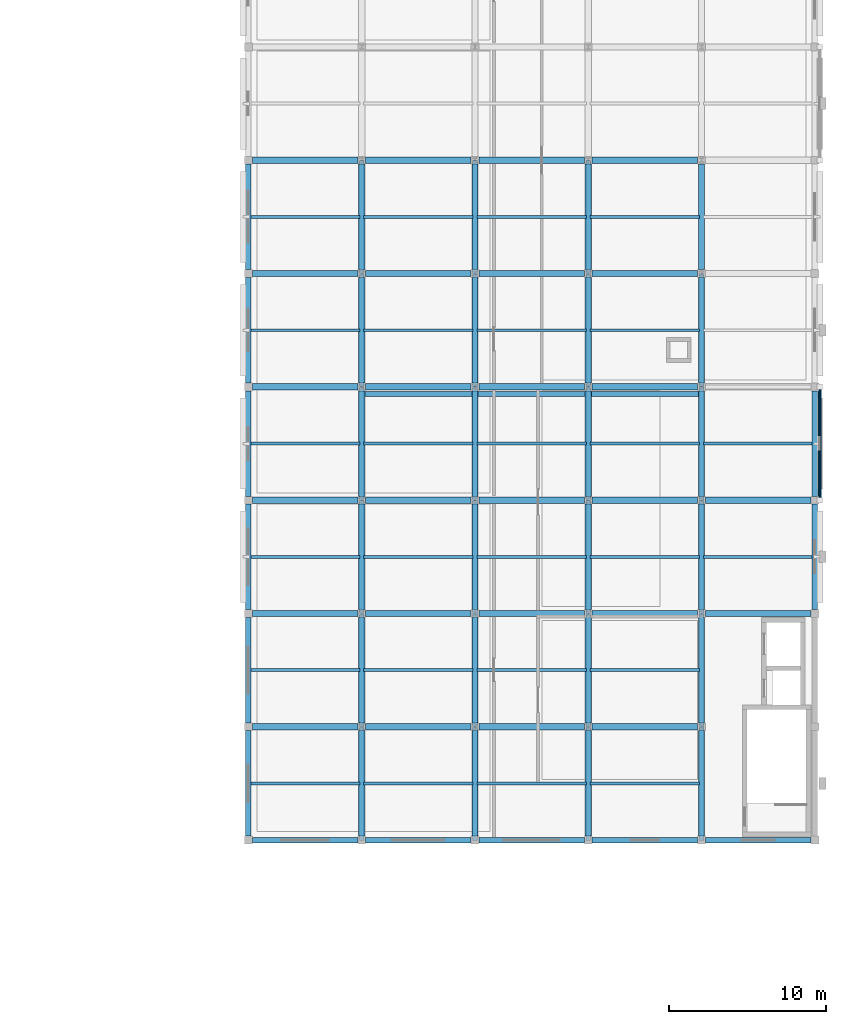
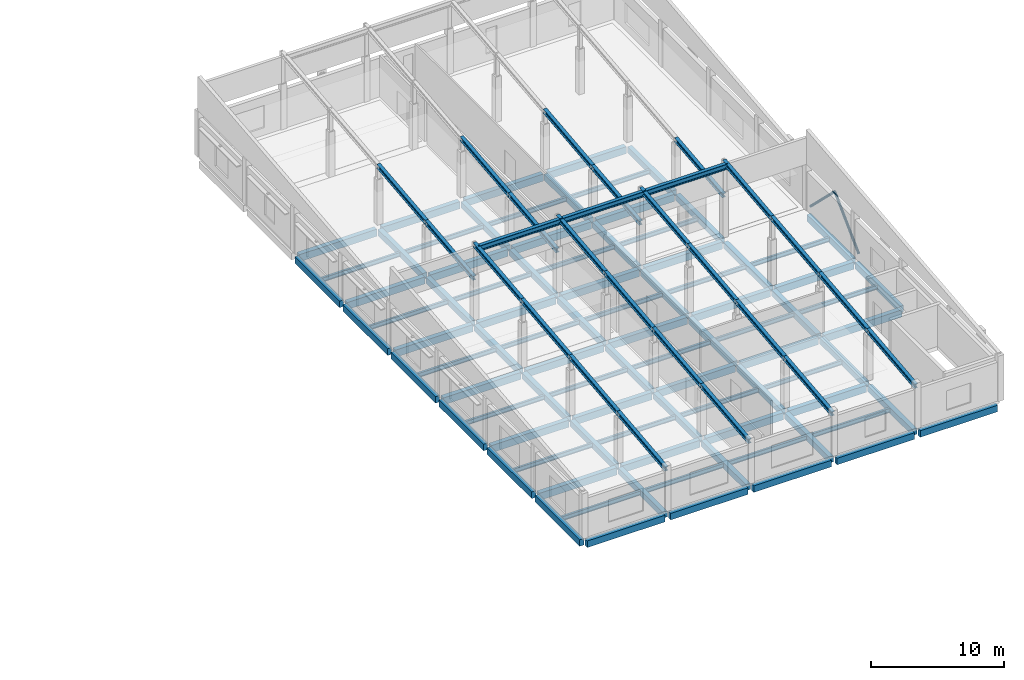
# One storey, part 16 of 33: 113 beams, 2 members.
"""IFC4 building model written with IfcOpenShell, lengths in metres."""

from ifc_helpers import new_model, si_unit, direction, frame, origin, origin_2d, place, context, subcontext, project, spatial, rectangle, hollow_circle, i_section, extrude, material, material_profile, profile_set, type_object, element, save


model = new_model("IFC4")

# Units and contexts
model_context = context("Model", 3, precision=1e-05, world=origin(), true_north=direction((0.0, 1.0)))
body_context = subcontext(model_context, "Body", "Model", "MODEL_VIEW")
ifc_project = project(units=[si_unit("LENGTHUNIT", "METRE"), si_unit("AREAUNIT", "SQUARE_METRE"), si_unit("VOLUMEUNIT", "CUBIC_METRE"), si_unit("PLANEANGLEUNIT", "RADIAN"), si_unit("MASSUNIT", "GRAM", prefix="KILO")], contexts=[model_context])

# Site, building, storey
site_placement = place(None, origin())
site = spatial("IfcSite", under=ifc_project, at=site_placement, CompositionType="ELEMENT")
building_placement = place(site_placement, origin())
building = spatial("IfcBuilding", under=site, at=building_placement, Name="Valkovuoma Quantum and Materials Research Institute", CompositionType="ELEMENT")
storey_placement = place(building_placement, frame((0.0, 0.0, 25.60009765625)))
storey = spatial("IfcBuildingStorey", under=building, at=storey_placement, Name="L06", CompositionType="ELEMENT", Elevation=25.60009765625)

# Beams
ifc_material_1 = material(Name="Steel S355J2", Category="steel")
ifc_material_profile_1 = material_profile(ifc_material_1, i_section(OverallWidth=0.300048828125, OverallDepth=0.389892578125, WebThickness=0.010986328125, FlangeThickness=0.01904296875, FilletRadius=0.027099609375, at=origin_2d()), Name="Steel S355J2")
ifc_profile_set_1 = profile_set([ifc_material_profile_1], Name="Steel S355J2")
beam_type_1 = type_object("IfcBeamType", Name="Beam-B-HEA400", PredefinedType="SPANDREL", material=ifc_profile_set_1)
for number, where, z_axis, x_axis, name in (
    (1, (136.800048828125, 57.60009765625, 3.699951171875), (0.0, 0.994182584153, 0.107707889063), (-1.0, 0.0, 0.0), "L06 wet-lab sloped rafter 1.136.8.1"),
    (2, (136.800048828125, 64.800048828125, 4.47998046875), (0.0, 0.994182584153, 0.107707889063), (-1.0, 0.0, 0.0), "L06 wet-lab sloped rafter 1.136.8.2"),
):
    element("IfcBeam", number, at=place(storey_placement, frame(where, z_axis=z_axis, x_axis=x_axis)), inside=storey, type_object=beam_type_1, Name=name, PredefinedType="SPANDREL", context=body_context, shape_type="SweptSolid", body=[
        extrude(i_section(OverallWidth=0.300048828125, OverallDepth=0.389892578125, WebThickness=0.010986328125, FlangeThickness=0.01904296875, FilletRadius=0.027099609375, at=origin_2d()), origin(), (0.0, 0.0, 1.0), 7.2421875),
    ])
beam_1_placement = place(storey_placement, frame((136.800048828125, 72.0, 5.260009765625), z_axis=(0.0, 0.994186193468, 0.107674568578), x_axis=(-1.0, 0.0, 0.0)))
element("IfcBeam", 3, at=beam_1_placement, inside=storey, type_object=beam_type_1, Name="L06 wet-lab sloped rafter 1.136.8.3", PredefinedType="SPANDREL", context=body_context, shape_type="SweptSolid", body=[
    extrude(i_section(OverallWidth=0.300048828125, OverallDepth=0.389892578125, WebThickness=0.010986328125, FlangeThickness=0.01904296875, FilletRadius=0.027099609375, at=origin_2d()), origin(), (0.0, 0.0, 1.0), 7.241943359375),
])
for number, where, z_axis, x_axis, name in (
    (4, (136.800048828125, 79.199951171875, 6.039794921875), (0.0, 0.994182584153, 0.107707889063), (-1.0, 0.0, 0.0), "L06 wet-lab sloped rafter 1.136.8.4"),
    (5, (144.0, 57.60009765625, 3.699951171875), (0.0, 0.994182584153, 0.107707889063), (-1.0, 0.0, 0.0), "L06 wet-lab sloped rafter 1.144.0.1"),
    (6, (144.0, 64.800048828125, 4.47998046875), (0.0, 0.994182584153, 0.107707889063), (-1.0, 0.0, 0.0), "L06 wet-lab sloped rafter 1.144.0.2"),
):
    element("IfcBeam", number, at=place(storey_placement, frame(where, z_axis=z_axis, x_axis=x_axis)), inside=storey, type_object=beam_type_1, Name=name, PredefinedType="SPANDREL", context=body_context, shape_type="SweptSolid", body=[
        extrude(i_section(OverallWidth=0.300048828125, OverallDepth=0.389892578125, WebThickness=0.010986328125, FlangeThickness=0.01904296875, FilletRadius=0.027099609375, at=origin_2d()), origin(), (0.0, 0.0, 1.0), 7.2421875),
    ])
beam_2_placement = place(storey_placement, frame((144.0, 72.0, 5.260009765625), z_axis=(0.0, 0.994186193468, 0.107674568578), x_axis=(-1.0, 0.0, 0.0)))
element("IfcBeam", 7, at=beam_2_placement, inside=storey, type_object=beam_type_1, Name="L06 wet-lab sloped rafter 1.144.0.3", PredefinedType="SPANDREL", context=body_context, shape_type="SweptSolid", body=[
    extrude(i_section(OverallWidth=0.300048828125, OverallDepth=0.389892578125, WebThickness=0.010986328125, FlangeThickness=0.01904296875, FilletRadius=0.027099609375, at=origin_2d()), origin(), (0.0, 0.0, 1.0), 7.241943359375),
])
for number, where, z_axis, x_axis, name in (
    (8, (144.0, 79.199951171875, 6.039794921875), (0.0, 0.994182584153, 0.107707889063), (-1.0, 0.0, 0.0), "L06 wet-lab sloped rafter 1.144.0.4"),
    (9, (151.199951171875, 57.60009765625, 3.699951171875), (0.0, 0.994182584153, 0.107707889063), (-1.0, 0.0, 0.0), "L06 wet-lab sloped rafter 1.151.2.1"),
    (10, (151.199951171875, 64.800048828125, 4.47998046875), (0.0, 0.994182584153, 0.107707889063), (-1.0, 0.0, 0.0), "L06 wet-lab sloped rafter 1.151.2.2"),
):
    element("IfcBeam", number, at=place(storey_placement, frame(where, z_axis=z_axis, x_axis=x_axis)), inside=storey, type_object=beam_type_1, Name=name, PredefinedType="SPANDREL", context=body_context, shape_type="SweptSolid", body=[
        extrude(i_section(OverallWidth=0.300048828125, OverallDepth=0.389892578125, WebThickness=0.010986328125, FlangeThickness=0.01904296875, FilletRadius=0.027099609375, at=origin_2d()), origin(), (0.0, 0.0, 1.0), 7.2421875),
    ])
beam_3_placement = place(storey_placement, frame((151.199951171875, 72.0, 5.260009765625), z_axis=(0.0, 0.994186193468, 0.107674568578), x_axis=(-1.0, 0.0, 0.0)))
element("IfcBeam", 11, at=beam_3_placement, inside=storey, type_object=beam_type_1, Name="L06 wet-lab sloped rafter 1.151.2.3", PredefinedType="SPANDREL", context=body_context, shape_type="SweptSolid", body=[
    extrude(i_section(OverallWidth=0.300048828125, OverallDepth=0.389892578125, WebThickness=0.010986328125, FlangeThickness=0.01904296875, FilletRadius=0.027099609375, at=origin_2d()), origin(), (0.0, 0.0, 1.0), 7.241943359375),
])
for number, where, z_axis, x_axis, name in (
    (12, (151.199951171875, 79.199951171875, 6.039794921875), (0.0, 0.994182584153, 0.107707889063), (-1.0, 0.0, 0.0), "L06 wet-lab sloped rafter 1.151.2.4"),
    (13, (158.39990234375, 57.60009765625, 3.699951171875), (0.0, 0.994182584153, 0.107707889063), (-1.0, 0.0, 0.0), "L06 wet-lab sloped rafter 1.158.4.1"),
    (14, (158.39990234375, 64.800048828125, 4.47998046875), (0.0, 0.994182584153, 0.107707889063), (-1.0, 0.0, 0.0), "L06 wet-lab sloped rafter 1.158.4.2"),
):
    element("IfcBeam", number, at=place(storey_placement, frame(where, z_axis=z_axis, x_axis=x_axis)), inside=storey, type_object=beam_type_1, Name=name, PredefinedType="SPANDREL", context=body_context, shape_type="SweptSolid", body=[
        extrude(i_section(OverallWidth=0.300048828125, OverallDepth=0.389892578125, WebThickness=0.010986328125, FlangeThickness=0.01904296875, FilletRadius=0.027099609375, at=origin_2d()), origin(), (0.0, 0.0, 1.0), 7.2421875),
    ])
beam_4_placement = place(storey_placement, frame((158.39990234375, 72.0, 5.260009765625), z_axis=(0.0, 0.994186193468, 0.107674568578), x_axis=(-1.0, 0.0, 0.0)))
element("IfcBeam", 15, at=beam_4_placement, inside=storey, type_object=beam_type_1, Name="L06 wet-lab sloped rafter 1.158.4.3", PredefinedType="SPANDREL", context=body_context, shape_type="SweptSolid", body=[
    extrude(i_section(OverallWidth=0.300048828125, OverallDepth=0.389892578125, WebThickness=0.010986328125, FlangeThickness=0.01904296875, FilletRadius=0.027099609375, at=origin_2d()), origin(), (0.0, 0.0, 1.0), 7.241943359375),
])
beam_5_placement = place(storey_placement, frame((158.39990234375, 79.199951171875, 6.039794921875), z_axis=(0.0, 0.994182584153, 0.107707889063), x_axis=(-1.0, 0.0, 0.0)))
element("IfcBeam", 16, at=beam_5_placement, inside=storey, type_object=beam_type_1, Name="L06 wet-lab sloped rafter 1.158.4.4", PredefinedType="SPANDREL", context=body_context, shape_type="SweptSolid", body=[
    extrude(i_section(OverallWidth=0.300048828125, OverallDepth=0.389892578125, WebThickness=0.010986328125, FlangeThickness=0.01904296875, FilletRadius=0.027099609375, at=origin_2d()), origin(), (0.0, 0.0, 1.0), 7.2421875),
])
beam_6_placement = place(storey_placement, frame((136.800048828125, 86.39990234375, 3.699951171875), z_axis=(0.0, 0.994182975219, 0.107704279324), x_axis=(-1.0, 0.0, 0.0)))
element("IfcBeam", 17, at=beam_6_placement, inside=storey, type_object=beam_type_1, Name="L06 wet-lab sloped rafter 2.136.8.1", PredefinedType="SPANDREL", context=body_context, shape_type="SweptSolid", body=[
    extrude(i_section(OverallWidth=0.300048828125, OverallDepth=0.389892578125, WebThickness=0.010986328125, FlangeThickness=0.01904296875, FilletRadius=0.027099609375, at=origin_2d()), origin(), (0.0, 0.0, 1.0), 7.242431640625),
])
beam_7_placement = place(storey_placement, frame((136.800048828125, 93.60009765625, 4.47998046875), z_axis=(0.0, 0.994182584153, 0.107707889063), x_axis=(-1.0, 0.0, 0.0)))
element("IfcBeam", 18, at=beam_7_placement, inside=storey, type_object=beam_type_1, Name="L06 wet-lab sloped rafter 2.136.8.2", PredefinedType="SPANDREL", context=body_context, shape_type="SweptSolid", body=[
    extrude(i_section(OverallWidth=0.300048828125, OverallDepth=0.389892578125, WebThickness=0.010986328125, FlangeThickness=0.01904296875, FilletRadius=0.027099609375, at=origin_2d()), origin(), (0.0, 0.0, 1.0), 7.2421875),
])
beam_8_placement = place(storey_placement, frame((144.0, 86.39990234375, 3.699951171875), z_axis=(0.0, 0.994182975219, 0.107704279324), x_axis=(-1.0, 0.0, 0.0)))
element("IfcBeam", 19, at=beam_8_placement, inside=storey, type_object=beam_type_1, Name="L06 wet-lab sloped rafter 2.144.0.1", PredefinedType="SPANDREL", context=body_context, shape_type="SweptSolid", body=[
    extrude(i_section(OverallWidth=0.300048828125, OverallDepth=0.389892578125, WebThickness=0.010986328125, FlangeThickness=0.01904296875, FilletRadius=0.027099609375, at=origin_2d()), origin(), (0.0, 0.0, 1.0), 7.242431640625),
])
beam_9_placement = place(storey_placement, frame((144.0, 93.60009765625, 4.47998046875), z_axis=(0.0, 0.994182584153, 0.107707889063), x_axis=(-1.0, 0.0, 0.0)))
element("IfcBeam", 20, at=beam_9_placement, inside=storey, type_object=beam_type_1, Name="L06 wet-lab sloped rafter 2.144.0.2", PredefinedType="SPANDREL", context=body_context, shape_type="SweptSolid", body=[
    extrude(i_section(OverallWidth=0.300048828125, OverallDepth=0.389892578125, WebThickness=0.010986328125, FlangeThickness=0.01904296875, FilletRadius=0.027099609375, at=origin_2d()), origin(), (0.0, 0.0, 1.0), 7.2421875),
])
beam_10_placement = place(storey_placement, frame((151.199951171875, 86.39990234375, 3.699951171875), z_axis=(0.0, 0.994182975219, 0.107704279324), x_axis=(-1.0, 0.0, 0.0)))
element("IfcBeam", 21, at=beam_10_placement, inside=storey, type_object=beam_type_1, Name="L06 wet-lab sloped rafter 2.151.2.1", PredefinedType="SPANDREL", context=body_context, shape_type="SweptSolid", body=[
    extrude(i_section(OverallWidth=0.300048828125, OverallDepth=0.389892578125, WebThickness=0.010986328125, FlangeThickness=0.01904296875, FilletRadius=0.027099609375, at=origin_2d()), origin(), (0.0, 0.0, 1.0), 7.242431640625),
])
beam_11_placement = place(storey_placement, frame((151.199951171875, 93.60009765625, 4.47998046875), z_axis=(0.0, 0.994182584153, 0.107707889063), x_axis=(-1.0, 0.0, 0.0)))
element("IfcBeam", 22, at=beam_11_placement, inside=storey, type_object=beam_type_1, Name="L06 wet-lab sloped rafter 2.151.2.2", PredefinedType="SPANDREL", context=body_context, shape_type="SweptSolid", body=[
    extrude(i_section(OverallWidth=0.300048828125, OverallDepth=0.389892578125, WebThickness=0.010986328125, FlangeThickness=0.01904296875, FilletRadius=0.027099609375, at=origin_2d()), origin(), (0.0, 0.0, 1.0), 7.2421875),
])
beam_12_placement = place(storey_placement, frame((158.39990234375, 86.39990234375, 3.699951171875), z_axis=(0.0, 0.994182975219, 0.107704279324), x_axis=(-1.0, 0.0, 0.0)))
element("IfcBeam", 23, at=beam_12_placement, inside=storey, type_object=beam_type_1, Name="L06 wet-lab sloped rafter 2.158.4.1", PredefinedType="SPANDREL", context=body_context, shape_type="SweptSolid", body=[
    extrude(i_section(OverallWidth=0.300048828125, OverallDepth=0.389892578125, WebThickness=0.010986328125, FlangeThickness=0.01904296875, FilletRadius=0.027099609375, at=origin_2d()), origin(), (0.0, 0.0, 1.0), 7.242431640625),
])
ifc_material_2 = material(Name="Steel S355J2", Category="steel")
ifc_material_profile_2 = material_profile(ifc_material_2, i_section(OverallWidth=0.300048828125, OverallDepth=0.5, WebThickness=0.014404296875, FlangeThickness=0.028076171875, FilletRadius=0.027099609375, at=origin_2d()), Name="Steel S355J2")
ifc_profile_set_2 = profile_set([ifc_material_profile_2], Name="Steel S355J2")
beam_type_2 = type_object("IfcBeamType", Name="Beam-B-HEB500", PredefinedType="BEAM", material=ifc_profile_set_2)
beam_13_placement = place(storey_placement, frame((136.800048828125, 85.949951171875, 6.711181640625), z_axis=(1.0, 0.0, 0.0), x_axis=(0.0, 1.0, 0.0)))
element("IfcBeam", 24, at=beam_13_placement, inside=storey, type_object=beam_type_2, Name="L06 wet-lab north-light continuous ridge girder 1", PredefinedType="BEAM", context=body_context, shape_type="SweptSolid", body=[
    extrude(i_section(OverallWidth=0.300048828125, OverallDepth=0.5, WebThickness=0.014404296875, FlangeThickness=0.028076171875, FilletRadius=0.027099609375, at=origin_2d()), origin(), (0.0, 0.0, 1.0), 21.599853515625),
])
ifc_material_3 = material(Name="Steel S355J2", Category="steel")
ifc_material_profile_3 = material_profile(ifc_material_3, i_section(OverallWidth=0.179931640625, OverallDepth=0.39990234375, WebThickness=0.008544921875, FlangeThickness=0.013427734375, FilletRadius=0.02099609375, at=origin_2d()), Name="Steel S355J2")
ifc_profile_set_3 = profile_set([ifc_material_profile_3], Name="Steel S355J2")
beam_type_3 = type_object("IfcBeamType", Name="Beam-B-JST400", PredefinedType="JOIST", material=ifc_profile_set_3)
for number, where, z_axis, x_axis, name in (
    (25, (129.719970703125, 61.199951171875, -0.550048828125), (1.0, 0.0, 0.0), (0.0, 1.0, 0.0), "L06 floor joist 2450"),
    (26, (136.919921875, 61.199951171875, -0.550048828125), (1.0, 0.0, 0.0), (0.0, 1.0, 0.0), "L06 floor joist 2451"),
    (27, (144.1201171875, 61.199951171875, -0.550048828125), (1.0, 0.0, 0.0), (0.0, 1.0, 0.0), "L06 floor joist 2452"),
    (28, (151.320068359375, 61.199951171875, -0.550048828125), (1.0, 0.0, 0.0), (0.0, 1.0, 0.0), "L06 floor joist 2453"),
    (29, (129.719970703125, 68.39990234375, -0.550048828125), (1.0, 0.0, 0.0), (0.0, 1.0, 0.0), "L06 floor joist 2456"),
    (30, (136.919921875, 68.39990234375, -0.550048828125), (1.0, 0.0, 0.0), (0.0, 1.0, 0.0), "L06 floor joist 2457"),
    (31, (144.1201171875, 68.39990234375, -0.550048828125), (1.0, 0.0, 0.0), (0.0, 1.0, 0.0), "L06 floor joist 2458"),
    (32, (151.320068359375, 68.39990234375, -0.550048828125), (1.0, 0.0, 0.0), (0.0, 1.0, 0.0), "L06 floor joist 2459"),
    (33, (129.719970703125, 75.60009765625, -0.550048828125), (1.0, 0.0, 0.0), (0.0, 1.0, 0.0), "L06 floor joist 2460"),
    (34, (136.919921875, 75.60009765625, -0.550048828125), (1.0, 0.0, 0.0), (0.0, 1.0, 0.0), "L06 floor joist 2461"),
    (35, (144.1201171875, 75.60009765625, -0.550048828125), (1.0, 0.0, 0.0), (0.0, 1.0, 0.0), "L06 floor joist 2462"),
    (36, (151.320068359375, 75.60009765625, -0.550048828125), (1.0, 0.0, 0.0), (0.0, 1.0, 0.0), "L06 floor joist 2463"),
    (37, (158.52001953125, 75.60009765625, -0.550048828125), (1.0, 0.0, 0.0), (0.0, 1.0, 0.0), "L06 floor joist 2464"),
    (38, (129.719970703125, 82.800048828125, -0.550048828125), (1.0, 0.0, 0.0), (0.0, 1.0, 0.0), "L06 floor joist 2465"),
    (39, (136.919921875, 82.800048828125, -0.550048828125), (1.0, 0.0, 0.0), (0.0, 1.0, 0.0), "L06 floor joist 2466"),
    (40, (144.1201171875, 82.800048828125, -0.550048828125), (1.0, 0.0, 0.0), (0.0, 1.0, 0.0), "L06 floor joist 2467"),
    (41, (151.320068359375, 82.800048828125, -0.550048828125), (1.0, 0.0, 0.0), (0.0, 1.0, 0.0), "L06 floor joist 2468"),
    (42, (158.52001953125, 82.800048828125, -0.550048828125), (1.0, 0.0, 0.0), (0.0, 1.0, 0.0), "L06 floor joist 2469"),
    (43, (129.719970703125, 90.0, -0.550048828125), (1.0, 0.0, 0.0), (0.0, 1.0, 0.0), "L06 floor joist 2472"),
    (44, (136.919921875, 90.0, -0.550048828125), (1.0, 0.0, 0.0), (0.0, 1.0, 0.0), "L06 floor joist 2473"),
    (45, (144.1201171875, 90.0, -0.550048828125), (1.0, 0.0, 0.0), (0.0, 1.0, 0.0), "L06 floor joist 2474"),
    (46, (151.320068359375, 90.0, -0.550048828125), (1.0, 0.0, 0.0), (0.0, 1.0, 0.0), "L06 floor joist 2475"),
    (47, (129.719970703125, 97.199951171875, -0.550048828125), (1.0, 0.0, 0.0), (0.0, 1.0, 0.0), "L06 floor joist 2477"),
    (48, (136.919921875, 97.199951171875, -0.550048828125), (1.0, 0.0, 0.0), (0.0, 1.0, 0.0), "L06 floor joist 2478"),
    (49, (144.1201171875, 97.199951171875, -0.550048828125), (1.0, 0.0, 0.0), (0.0, 1.0, 0.0), "L06 floor joist 2479"),
    (50, (151.320068359375, 97.199951171875, -0.550048828125), (1.0, 0.0, 0.0), (0.0, 1.0, 0.0), "L06 floor joist 2480"),
):
    element("IfcBeam", number, at=place(storey_placement, frame(where, z_axis=z_axis, x_axis=x_axis)), inside=storey, type_object=beam_type_3, Name=name, PredefinedType="JOIST", context=body_context, shape_type="SweptSolid", body=[
        extrude(i_section(OverallWidth=0.179931640625, OverallDepth=0.39990234375, WebThickness=0.008544921875, FlangeThickness=0.013427734375, FilletRadius=0.02099609375, at=origin_2d()), origin(), (0.0, 0.0, 1.0), 6.9599609375),
    ])
ifc_material_4 = material(Name="Concrete C40/50", Category="concrete")
ifc_material_profile_4 = material_profile(ifc_material_4, rectangle(XDim=0.39990234375, YDim=0.550048828125, at=origin_2d()), Name="Concrete C40/50")
ifc_profile_set_4 = profile_set([ifc_material_profile_4], Name="Concrete C40/50")
beam_type_4 = type_object("IfcBeamType", Name="Beam-B-RC550", PredefinedType="BEAM", material=ifc_profile_set_4)
for number, where, z_axis, x_axis, name in (
    (51, (136.800048828125, 57.85009765625, -0.625), (0.0, 1.0, 0.0), (-1.0, 0.0, 0.0), "L06 beam Y-2405"),
    (52, (136.800048828125, 65.050048828125, -0.625), (0.0, 1.0, 0.0), (-1.0, 0.0, 0.0), "L06 beam Y-2406"),
    (53, (136.800048828125, 72.25, -0.625), (0.0, 1.0, 0.0), (-1.0, 0.0, 0.0), "L06 beam Y-2407"),
    (54, (136.800048828125, 79.449951171875, -0.625), (0.0, 1.0, 0.0), (-1.0, 0.0, 0.0), "L06 beam Y-2408"),
):
    element("IfcBeam", number, at=place(storey_placement, frame(where, z_axis=z_axis, x_axis=x_axis)), inside=storey, type_object=beam_type_4, Name=name, PredefinedType="BEAM", context=body_context, shape_type="SweptSolid", body=[
        extrude(rectangle(XDim=0.39990234375, YDim=0.550048828125, at=origin_2d()), origin(), (0.0, 0.0, 1.0), 6.699951171875),
    ])
beam_14_placement = place(storey_placement, frame((136.800048828125, 86.64990234375, -0.625), z_axis=(0.0, 1.0, 0.0), x_axis=(-1.0, 0.0, 0.0)))
element("IfcBeam", 55, at=beam_14_placement, inside=storey, type_object=beam_type_4, Name="L06 beam Y-2409", PredefinedType="BEAM", context=body_context, shape_type="SweptSolid", body=[
    extrude(rectangle(XDim=0.39990234375, YDim=0.550048828125, at=origin_2d()), origin(), (0.0, 0.0, 1.0), 6.7001953125),
])
for number, where, z_axis, x_axis, name in (
    (56, (136.800048828125, 93.85009765625, -0.625), (0.0, 1.0, 0.0), (-1.0, 0.0, 0.0), "L06 beam Y-2410"),
    (57, (144.0, 57.85009765625, -0.625), (0.0, 1.0, 0.0), (-1.0, 0.0, 0.0), "L06 beam Y-2413"),
    (58, (144.0, 65.050048828125, -0.625), (0.0, 1.0, 0.0), (-1.0, 0.0, 0.0), "L06 beam Y-2414"),
    (59, (144.0, 72.25, -0.625), (0.0, 1.0, 0.0), (-1.0, 0.0, 0.0), "L06 beam Y-2415"),
    (60, (144.0, 79.449951171875, -0.625), (0.0, 1.0, 0.0), (-1.0, 0.0, 0.0), "L06 beam Y-2416"),
):
    element("IfcBeam", number, at=place(storey_placement, frame(where, z_axis=z_axis, x_axis=x_axis)), inside=storey, type_object=beam_type_4, Name=name, PredefinedType="BEAM", context=body_context, shape_type="SweptSolid", body=[
        extrude(rectangle(XDim=0.39990234375, YDim=0.550048828125, at=origin_2d()), origin(), (0.0, 0.0, 1.0), 6.699951171875),
    ])
beam_15_placement = place(storey_placement, frame((144.0, 86.64990234375, -0.625), z_axis=(0.0, 1.0, 0.0), x_axis=(-1.0, 0.0, 0.0)))
element("IfcBeam", 61, at=beam_15_placement, inside=storey, type_object=beam_type_4, Name="L06 beam Y-2417", PredefinedType="BEAM", context=body_context, shape_type="SweptSolid", body=[
    extrude(rectangle(XDim=0.39990234375, YDim=0.550048828125, at=origin_2d()), origin(), (0.0, 0.0, 1.0), 6.7001953125),
])
for number, where, z_axis, x_axis, name in (
    (62, (144.0, 93.85009765625, -0.625), (0.0, 1.0, 0.0), (-1.0, 0.0, 0.0), "L06 beam Y-2418"),
    (63, (151.199951171875, 57.85009765625, -0.625), (0.0, 1.0, 0.0), (-1.0, 0.0, 0.0), "L06 beam Y-2421"),
    (64, (151.199951171875, 65.050048828125, -0.625), (0.0, 1.0, 0.0), (-1.0, 0.0, 0.0), "L06 beam Y-2422"),
    (65, (151.199951171875, 72.25, -0.625), (0.0, 1.0, 0.0), (-1.0, 0.0, 0.0), "L06 beam Y-2423"),
    (66, (151.199951171875, 79.449951171875, -0.625), (0.0, 1.0, 0.0), (-1.0, 0.0, 0.0), "L06 beam Y-2424"),
):
    element("IfcBeam", number, at=place(storey_placement, frame(where, z_axis=z_axis, x_axis=x_axis)), inside=storey, type_object=beam_type_4, Name=name, PredefinedType="BEAM", context=body_context, shape_type="SweptSolid", body=[
        extrude(rectangle(XDim=0.39990234375, YDim=0.550048828125, at=origin_2d()), origin(), (0.0, 0.0, 1.0), 6.699951171875),
    ])
beam_16_placement = place(storey_placement, frame((151.199951171875, 86.64990234375, -0.625), z_axis=(0.0, 1.0, 0.0), x_axis=(-1.0, 0.0, 0.0)))
element("IfcBeam", 67, at=beam_16_placement, inside=storey, type_object=beam_type_4, Name="L06 beam Y-2425", PredefinedType="BEAM", context=body_context, shape_type="SweptSolid", body=[
    extrude(rectangle(XDim=0.39990234375, YDim=0.550048828125, at=origin_2d()), origin(), (0.0, 0.0, 1.0), 6.7001953125),
])
for number, where, z_axis, x_axis, name in (
    (68, (151.199951171875, 93.85009765625, -0.625), (0.0, 1.0, 0.0), (-1.0, 0.0, 0.0), "L06 beam Y-2426"),
    (69, (158.39990234375, 57.85009765625, -0.625), (0.0, 1.0, 0.0), (-1.0, 0.0, 0.0), "L06 beam Y-2429"),
    (70, (158.39990234375, 65.050048828125, -0.625), (0.0, 1.0, 0.0), (-1.0, 0.0, 0.0), "L06 beam Y-2430"),
    (71, (158.39990234375, 72.25, -0.625), (0.0, 1.0, 0.0), (-1.0, 0.0, 0.0), "L06 beam Y-2431"),
    (72, (158.39990234375, 79.449951171875, -0.625), (0.0, 1.0, 0.0), (-1.0, 0.0, 0.0), "L06 beam Y-2432"),
):
    element("IfcBeam", number, at=place(storey_placement, frame(where, z_axis=z_axis, x_axis=x_axis)), inside=storey, type_object=beam_type_4, Name=name, PredefinedType="BEAM", context=body_context, shape_type="SweptSolid", body=[
        extrude(rectangle(XDim=0.39990234375, YDim=0.550048828125, at=origin_2d()), origin(), (0.0, 0.0, 1.0), 6.699951171875),
    ])
beam_17_placement = place(storey_placement, frame((158.39990234375, 86.64990234375, -0.625), z_axis=(0.0, 1.0, 0.0), x_axis=(-1.0, 0.0, 0.0)))
element("IfcBeam", 73, at=beam_17_placement, inside=storey, type_object=beam_type_4, Name="L06 beam Y-2433", PredefinedType="BEAM", context=body_context, shape_type="SweptSolid", body=[
    extrude(rectangle(XDim=0.39990234375, YDim=0.550048828125, at=origin_2d()), origin(), (0.0, 0.0, 1.0), 6.7001953125),
])
beam_18_placement = place(storey_placement, frame((158.39990234375, 93.85009765625, -0.625), z_axis=(0.0, 1.0, 0.0), x_axis=(-1.0, 0.0, 0.0)))
element("IfcBeam", 74, at=beam_18_placement, inside=storey, type_object=beam_type_4, Name="L06 beam Y-2434", PredefinedType="BEAM", context=body_context, shape_type="SweptSolid", body=[
    extrude(rectangle(XDim=0.39990234375, YDim=0.550048828125, at=origin_2d()), origin(), (0.0, 0.0, 1.0), 6.699951171875),
])
ifc_material_5 = material(Name="Concrete C40/50", Category="concrete")
ifc_material_profile_5 = material_profile(ifc_material_5, rectangle(XDim=0.39990234375, YDim=0.64990234375, at=origin_2d()), Name="Concrete C40/50")
ifc_profile_set_5 = profile_set([ifc_material_profile_5], Name="Concrete C40/50")
beam_type_5 = type_object("IfcBeamType", Name="Beam-B-RC650", PredefinedType="BEAM", material=ifc_profile_set_5)
for number, where, z_axis, x_axis, name in (
    (75, (129.85009765625, 64.800048828125, -0.675048828125), (1.0, 0.0, 0.0), (0.0, 1.0, 0.0), "L06 beam X-2339"),
    (76, (137.050048828125, 64.800048828125, -0.675048828125), (1.0, 0.0, 0.0), (0.0, 1.0, 0.0), "L06 beam X-2340"),
    (77, (144.25, 64.800048828125, -0.675048828125), (1.0, 0.0, 0.0), (0.0, 1.0, 0.0), "L06 beam X-2341"),
    (78, (151.449951171875, 64.800048828125, -0.675048828125), (1.0, 0.0, 0.0), (0.0, 1.0, 0.0), "L06 beam X-2342"),
    (79, (129.85009765625, 72.0, -0.675048828125), (1.0, 0.0, 0.0), (0.0, 1.0, 0.0), "L06 beam X-2345"),
    (80, (137.050048828125, 72.0, -0.675048828125), (1.0, 0.0, 0.0), (0.0, 1.0, 0.0), "L06 beam X-2346"),
    (81, (144.25, 72.0, -0.675048828125), (1.0, 0.0, 0.0), (0.0, 1.0, 0.0), "L06 beam X-2347"),
    (82, (151.449951171875, 72.0, -0.675048828125), (1.0, 0.0, 0.0), (0.0, 1.0, 0.0), "L06 beam X-2348"),
):
    element("IfcBeam", number, at=place(storey_placement, frame(where, z_axis=z_axis, x_axis=x_axis)), inside=storey, type_object=beam_type_5, Name=name, PredefinedType="BEAM", context=body_context, shape_type="SweptSolid", body=[
        extrude(rectangle(XDim=0.39990234375, YDim=0.64990234375, at=origin_2d()), origin(), (0.0, 0.0, 1.0), 6.699951171875),
    ])
beam_19_placement = place(storey_placement, frame((158.64990234375, 72.0, -0.675048828125), z_axis=(1.0, 0.0, 0.0), x_axis=(0.0, 1.0, 0.0)))
element("IfcBeam", 83, at=beam_19_placement, inside=storey, type_object=beam_type_5, Name="L06 beam X-2349", PredefinedType="BEAM", context=body_context, shape_type="SweptSolid", body=[
    extrude(rectangle(XDim=0.39990234375, YDim=0.64990234375, at=origin_2d()), origin(), (0.0, 0.0, 1.0), 6.7001953125),
])
for number, where, z_axis, x_axis, name in (
    (84, (129.85009765625, 79.199951171875, -0.675048828125), (1.0, 0.0, 0.0), (0.0, 1.0, 0.0), "L06 beam X-2350"),
    (85, (137.050048828125, 79.199951171875, -0.675048828125), (1.0, 0.0, 0.0), (0.0, 1.0, 0.0), "L06 beam X-2351"),
    (86, (144.25, 79.199951171875, -0.675048828125), (1.0, 0.0, 0.0), (0.0, 1.0, 0.0), "L06 beam X-2352"),
    (87, (151.449951171875, 79.199951171875, -0.675048828125), (1.0, 0.0, 0.0), (0.0, 1.0, 0.0), "L06 beam X-2353"),
):
    element("IfcBeam", number, at=place(storey_placement, frame(where, z_axis=z_axis, x_axis=x_axis)), inside=storey, type_object=beam_type_5, Name=name, PredefinedType="BEAM", context=body_context, shape_type="SweptSolid", body=[
        extrude(rectangle(XDim=0.39990234375, YDim=0.64990234375, at=origin_2d()), origin(), (0.0, 0.0, 1.0), 6.699951171875),
    ])
beam_20_placement = place(storey_placement, frame((158.64990234375, 79.199951171875, -0.675048828125), z_axis=(1.0, 0.0, 0.0), x_axis=(0.0, 1.0, 0.0)))
element("IfcBeam", 88, at=beam_20_placement, inside=storey, type_object=beam_type_5, Name="L06 beam X-2354", PredefinedType="BEAM", context=body_context, shape_type="SweptSolid", body=[
    extrude(rectangle(XDim=0.39990234375, YDim=0.64990234375, at=origin_2d()), origin(), (0.0, 0.0, 1.0), 6.7001953125),
])
for number, where, z_axis, x_axis, name in (
    (89, (129.85009765625, 86.39990234375, -0.675048828125), (1.0, 0.0, 0.0), (0.0, 1.0, 0.0), "L06 beam X-2357"),
    (90, (137.050048828125, 86.39990234375, -0.675048828125), (1.0, 0.0, 0.0), (0.0, 1.0, 0.0), "L06 beam X-2358"),
    (91, (144.25, 86.39990234375, -0.675048828125), (1.0, 0.0, 0.0), (0.0, 1.0, 0.0), "L06 beam X-2359"),
    (92, (151.449951171875, 86.39990234375, -0.675048828125), (1.0, 0.0, 0.0), (0.0, 1.0, 0.0), "L06 beam X-2360"),
    (93, (129.85009765625, 93.60009765625, -0.675048828125), (1.0, 0.0, 0.0), (0.0, 1.0, 0.0), "L06 beam X-2364"),
    (94, (137.050048828125, 93.60009765625, -0.675048828125), (1.0, 0.0, 0.0), (0.0, 1.0, 0.0), "L06 beam X-2365"),
    (95, (144.25, 93.60009765625, -0.675048828125), (1.0, 0.0, 0.0), (0.0, 1.0, 0.0), "L06 beam X-2366"),
    (96, (151.449951171875, 93.60009765625, -0.675048828125), (1.0, 0.0, 0.0), (0.0, 1.0, 0.0), "L06 beam X-2367"),
    (97, (129.85009765625, 100.800048828125, -0.675048828125), (1.0, 0.0, 0.0), (0.0, 1.0, 0.0), "L06 beam X-2369"),
    (98, (137.050048828125, 100.800048828125, -0.675048828125), (1.0, 0.0, 0.0), (0.0, 1.0, 0.0), "L06 beam X-2370"),
    (99, (144.25, 100.800048828125, -0.675048828125), (1.0, 0.0, 0.0), (0.0, 1.0, 0.0), "L06 beam X-2371"),
    (100, (151.449951171875, 100.800048828125, -0.675048828125), (1.0, 0.0, 0.0), (0.0, 1.0, 0.0), "L06 beam X-2372"),
):
    element("IfcBeam", number, at=place(storey_placement, frame(where, z_axis=z_axis, x_axis=x_axis)), inside=storey, type_object=beam_type_5, Name=name, PredefinedType="BEAM", context=body_context, shape_type="SweptSolid", body=[
        extrude(rectangle(XDim=0.39990234375, YDim=0.64990234375, at=origin_2d()), origin(), (0.0, 0.0, 1.0), 6.699951171875),
    ])
ifc_material_6 = material(Name="Concrete C40/50", Category="concrete")
ifc_material_profile_6 = material_profile(ifc_material_6, rectangle(XDim=0.35009765625, YDim=0.60009765625, at=origin_2d()), Name="Concrete C40/50")
ifc_profile_set_6 = profile_set([ifc_material_profile_6], Name="Concrete C40/50")
beam_type_6 = type_object("IfcBeamType", Name="Beam-B-SPN600", PredefinedType="SPANDREL", material=ifc_profile_set_6)
for number, where, z_axis, x_axis, name in (
    (101, (129.85009765625, 57.60009765625, -0.650146484375), (1.0, 0.0, 0.0), (0.0, 1.0, 0.0), "L06 beam X-2332"),
    (102, (137.050048828125, 57.60009765625, -0.650146484375), (1.0, 0.0, 0.0), (0.0, 1.0, 0.0), "L06 beam X-2333"),
    (103, (144.25, 57.60009765625, -0.650146484375), (1.0, 0.0, 0.0), (0.0, 1.0, 0.0), "L06 beam X-2334"),
    (104, (151.449951171875, 57.60009765625, -0.650146484375), (1.0, 0.0, 0.0), (0.0, 1.0, 0.0), "L06 beam X-2335"),
):
    element("IfcBeam", number, at=place(storey_placement, frame(where, z_axis=z_axis, x_axis=x_axis)), inside=storey, type_object=beam_type_6, Name=name, PredefinedType="SPANDREL", context=body_context, shape_type="SweptSolid", body=[
        extrude(rectangle(XDim=0.35009765625, YDim=0.60009765625, at=origin_2d()), origin(), (0.0, 0.0, 1.0), 6.699951171875),
    ])
beam_21_placement = place(storey_placement, frame((158.64990234375, 57.60009765625, -0.650146484375), z_axis=(1.0, 0.0, 0.0), x_axis=(0.0, 1.0, 0.0)))
element("IfcBeam", 105, at=beam_21_placement, inside=storey, type_object=beam_type_6, Name="L06 beam X-2336", PredefinedType="SPANDREL", context=body_context, shape_type="SweptSolid", body=[
    extrude(rectangle(XDim=0.35009765625, YDim=0.60009765625, at=origin_2d()), origin(), (0.0, 0.0, 1.0), 6.7001953125),
])
for number, where, z_axis, x_axis, name in (
    (106, (129.60009765625, 57.85009765625, -0.650146484375), (0.0, 1.0, 0.0), (-1.0, 0.0, 0.0), "L06 beam Y-2397"),
    (107, (129.60009765625, 65.050048828125, -0.650146484375), (0.0, 1.0, 0.0), (-1.0, 0.0, 0.0), "L06 beam Y-2398"),
    (108, (129.60009765625, 72.25, -0.650146484375), (0.0, 1.0, 0.0), (-1.0, 0.0, 0.0), "L06 beam Y-2399"),
    (109, (129.60009765625, 79.449951171875, -0.650146484375), (0.0, 1.0, 0.0), (-1.0, 0.0, 0.0), "L06 beam Y-2400"),
):
    element("IfcBeam", number, at=place(storey_placement, frame(where, z_axis=z_axis, x_axis=x_axis)), inside=storey, type_object=beam_type_6, Name=name, PredefinedType="SPANDREL", context=body_context, shape_type="SweptSolid", body=[
        extrude(rectangle(XDim=0.35009765625, YDim=0.60009765625, at=origin_2d()), origin(), (0.0, 0.0, 1.0), 6.699951171875),
    ])
beam_22_placement = place(storey_placement, frame((129.60009765625, 86.64990234375, -0.650146484375), z_axis=(0.0, 1.0, 0.0), x_axis=(-1.0, 0.0, 0.0)))
element("IfcBeam", 110, at=beam_22_placement, inside=storey, type_object=beam_type_6, Name="L06 beam Y-2401", PredefinedType="SPANDREL", context=body_context, shape_type="SweptSolid", body=[
    extrude(rectangle(XDim=0.35009765625, YDim=0.60009765625, at=origin_2d()), origin(), (0.0, 0.0, 1.0), 6.7001953125),
])
for number, where, z_axis, x_axis, name in (
    (111, (129.60009765625, 93.85009765625, -0.650146484375), (0.0, 1.0, 0.0), (-1.0, 0.0, 0.0), "L06 beam Y-2402"),
    (112, (165.60009765625, 72.25, -0.650146484375), (0.0, 1.0, 0.0), (-1.0, 0.0, 0.0), "L06 beam Y-2437"),
    (113, (165.60009765625, 79.449951171875, -0.650146484375), (0.0, 1.0, 0.0), (-1.0, 0.0, 0.0), "L06 beam Y-2438"),
):
    element("IfcBeam", number, at=place(storey_placement, frame(where, z_axis=z_axis, x_axis=x_axis)), inside=storey, type_object=beam_type_6, Name=name, PredefinedType="SPANDREL", context=body_context, shape_type="SweptSolid", body=[
        extrude(rectangle(XDim=0.35009765625, YDim=0.60009765625, at=origin_2d()), origin(), (0.0, 0.0, 1.0), 6.699951171875),
    ])

# Members
ifc_material_7 = material(Name="Steel S355J2H", Category="steel")
ifc_material_profile_7 = material_profile(ifc_material_7, hollow_circle(Radius=0.109619140625, WallThickness=0.010009765625, at=origin_2d()), Name="Steel S355J2H")
ifc_profile_set_7 = profile_set([ifc_material_profile_7], Name="Steel S355J2H")
member_type = type_object("IfcMemberType", Name="Mem-M-BRC219", PredefinedType="BRACE", material=ifc_profile_set_7)
member_1_placement = place(storey_placement, frame((165.89990234375, 79.199951171875, 0.099853515625), z_axis=(0.0, 0.716008634166, 0.698091423668), x_axis=(-1.0, 0.0, 0.0)))
element("IfcMember", 114, at=member_1_placement, inside=storey, type_object=member_type, Name="L06 chevron wind brace 14A", PredefinedType="BRACE", context=body_context, shape_type="SweptSolid", body=[
    extrude(hollow_circle(Radius=0.109619140625, WallThickness=0.010009765625, at=origin_2d()), origin(), (0.0, 0.0, 1.0), 5.028076171875),
])
member_2_placement = place(storey_placement, frame((165.89990234375, 86.39990234375, 0.099853515625), z_axis=(0.0, -0.715984969996, 0.69811569438), x_axis=(1.0, 0.0, 0.0)))
element("IfcMember", 115, at=member_2_placement, inside=storey, type_object=member_type, Name="L06 chevron wind brace 14B", PredefinedType="BRACE", context=body_context, shape_type="SweptSolid", body=[
    extrude(hollow_circle(Radius=0.109619140625, WallThickness=0.010009765625, at=origin_2d()), origin(), (0.0, 0.0, 1.0), 5.02783203125),
])

save(model, "model.ifc")
